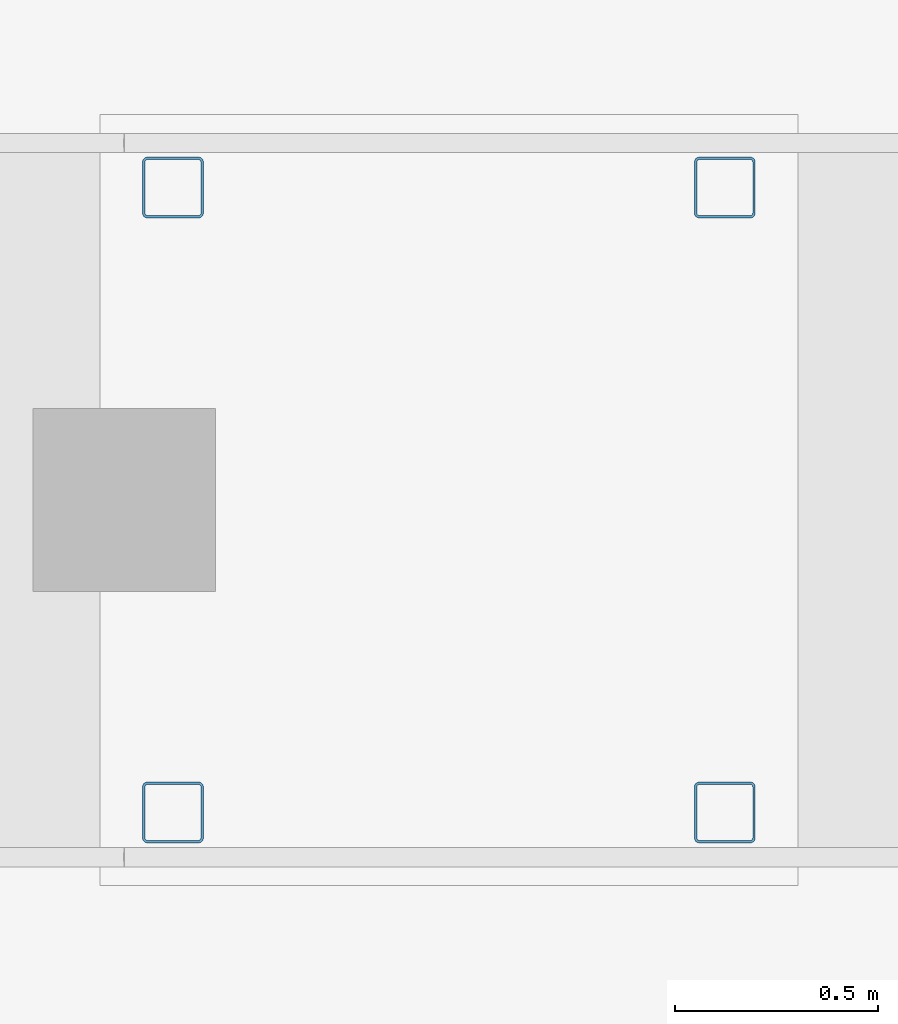
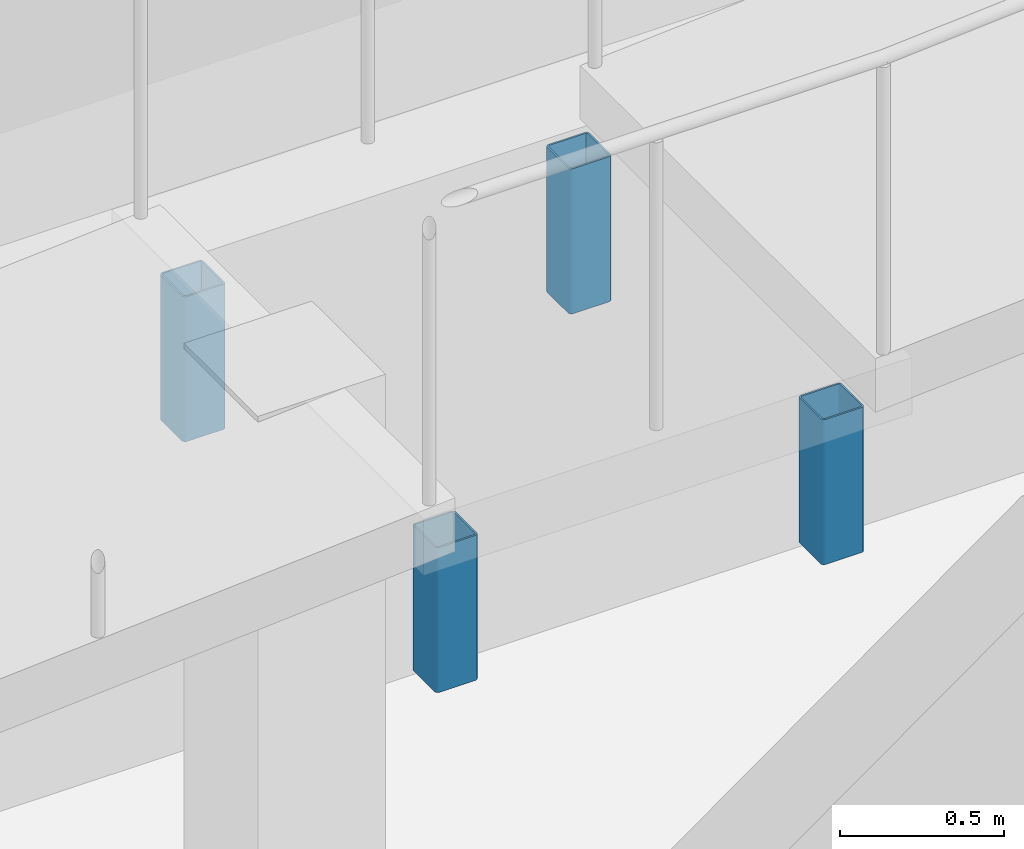
# One storey, part 21 of 85: 4 columns.
"""IFC4 building model written with IfcOpenShell, lengths in metres."""

from ifc_helpers import new_model, si_unit, direction, frame, origin, origin_2d, place, context, subcontext, project, spatial, hollow_rectangle, extrude, material, material_profile, profile_set, type_object, element, save


model = new_model("IFC4")

# Units and contexts
model_context = context("Model", 3, precision=1e-05, world=origin(), true_north=direction((0.0, 1.0)))
body_context = subcontext(model_context, "Body", "Model", "MODEL_VIEW")
ifc_project = project(units=[si_unit("LENGTHUNIT", "METRE"), si_unit("AREAUNIT", "SQUARE_METRE"), si_unit("VOLUMEUNIT", "CUBIC_METRE"), si_unit("PLANEANGLEUNIT", "RADIAN"), si_unit("MASSUNIT", "GRAM", prefix="KILO")], contexts=[model_context])

# Site, building, storey
site_placement = place(None, origin())
site = spatial("IfcSite", under=ifc_project, at=site_placement, CompositionType="ELEMENT")
building_placement = place(site_placement, origin())
building = spatial("IfcBuilding", under=site, at=building_placement, Name="Ochrevale Crest", CompositionType="ELEMENT")
storey_placement = place(building_placement, origin())
storey = spatial("IfcBuildingStorey", under=building, at=storey_placement, Name="L00", CompositionType="ELEMENT", Elevation=0.0)

# Columns
ifc_material = material(Name="Steel S355", Category="steel")
ifc_material_profile = material_profile(ifc_material, hollow_rectangle(XDim=0.14990234375, YDim=0.14990234375, WallThickness=0.006103515625, InnerFilletRadius=0.006103515625, OuterFilletRadius=0.011962890625, at=origin_2d()), Name="150x150x6.0SHS")
ifc_profile_set = profile_set([ifc_material_profile], Name="Steel S355")
column_type = type_object("IfcColumnType", Name="COL-SHS150", PredefinedType="COLUMN", material=ifc_profile_set)
for number, where, z_axis, x_axis, name in (
    (1, (47.219970703125, 68.830078125, 2.25), (0.0, 0.0, 1.0), (1.0, 0.0, 0.0), "Ramp landing RMP-ACC-W2-L1 support post 1"),
    (2, (48.580078125, 68.830078125, 2.25), (0.0, 0.0, 1.0), (1.0, 0.0, 0.0), "Ramp landing RMP-ACC-W2-L1 support post 2"),
    (3, (47.219970703125, 70.3701171875, 2.25), (0.0, 0.0, 1.0), (1.0, 0.0, 0.0), "Ramp landing RMP-ACC-W2-L1 support post 3"),
    (4, (48.580078125, 70.3701171875, 2.25), (0.0, 0.0, 1.0), (1.0, 0.0, 0.0), "Ramp landing RMP-ACC-W2-L1 support post 4"),
):
    element("IfcColumn", number, at=place(storey_placement, frame(where, z_axis=z_axis, x_axis=x_axis)), inside=storey, type_object=column_type, Name=name, PredefinedType="COLUMN", context=body_context, shape_type="SweptSolid", body=[
        extrude(hollow_rectangle(XDim=0.14990234375, YDim=0.14990234375, WallThickness=0.006103515625, InnerFilletRadius=0.006103515625, OuterFilletRadius=0.011962890625, at=origin_2d()), origin(), (0.0, 0.0, 1.0), 0.5400390625),
    ])

save(model, "model.ifc")
